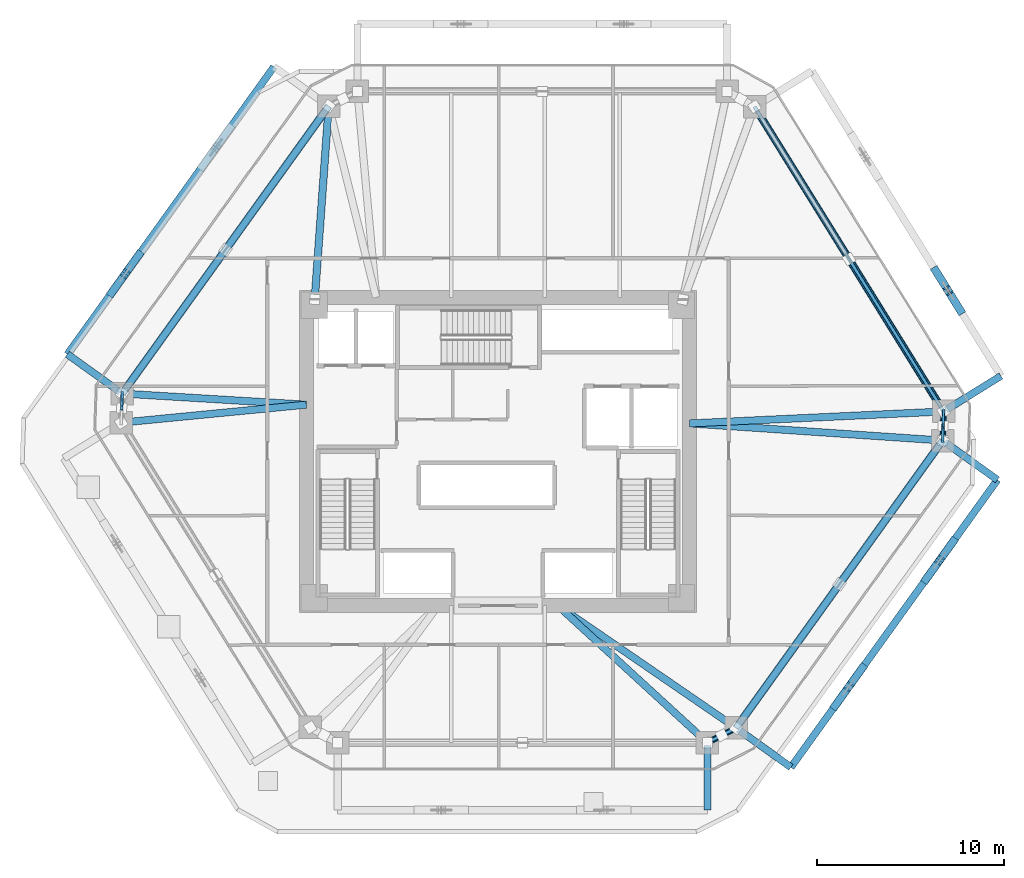
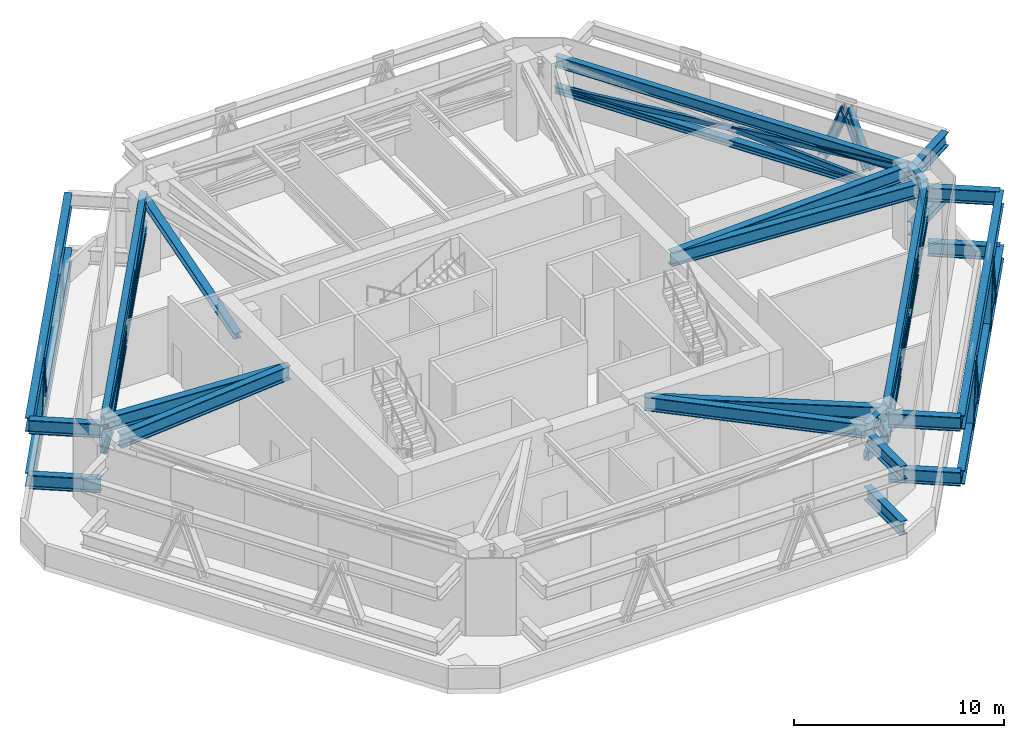
# One storey, part 2 of 10: 27 members, 25 beams.
"""IFC4 building model written with IfcOpenShell, lengths in metres."""

from ifc_helpers import new_model, si_unit, direction, frame, origin, origin_2d, place, context, subcontext, project, spatial, hollow_rectangle, i_section, extrude, source, transform, mapped, material, material_profile, profile_set, type_object, type_shapes, element, save


model = new_model("IFC4")

# Units and contexts
model_context = context("Model", 3, precision=1e-05, world=origin(), true_north=direction((0.0, 1.0)))
body_context = subcontext(model_context, "Body", "Model", "MODEL_VIEW")
ifc_project = project(units=[si_unit("LENGTHUNIT", "METRE"), si_unit("AREAUNIT", "SQUARE_METRE"), si_unit("VOLUMEUNIT", "CUBIC_METRE"), si_unit("PLANEANGLEUNIT", "RADIAN"), si_unit("MASSUNIT", "GRAM", prefix="KILO")], contexts=[model_context])

# Site, building, storey
site_placement = place(None, origin())
site = spatial("IfcSite", under=ifc_project, at=site_placement, CompositionType="ELEMENT")
building_placement = place(site_placement, origin())
building = spatial("IfcBuilding", under=site, at=building_placement, Name="Durnholm Broadcast Tower", CompositionType="ELEMENT")
storey_placement = place(building_placement, frame((0.0, 0.0, 88.5)))
storey = spatial("IfcBuildingStorey", under=building, at=storey_placement, Name="L23", CompositionType="ELEMENT", Elevation=88.5)

# Beams
ifc_material_1 = material(Name="Steel ASTM A992 Grade 50", Category="steel")
ifc_material_profile_1 = material_profile(ifc_material_1, i_section(OverallWidth=0.385009765625, OverallDepth=0.802978515625, WebThickness=0.023681640625, FlangeThickness=0.0419921875, FilletRadius=0.032958984375, at=origin_2d()), Name="W30X261")
ifc_profile_set_1 = profile_set([ifc_material_profile_1], Name="Steel ASTM A992 Grade 50")
beam_type_1 = type_object("IfcBeamType", Name="BM-EXO-TIE", PredefinedType="USERDEFINED", material=ifc_profile_set_1)
shared_shape_1 = source(origin(), body_context, "Body", "SweptSolid", [
    extrude(i_section(OverallWidth=0.385009765625, OverallDepth=0.802978515625, WebThickness=0.023681640625, FlangeThickness=0.0419921875, FilletRadius=0.032958984375, at=origin_2d()), origin(), (0.0, 0.0, 1.0), 3.4560546875),
])
for number, where, z_axis, x_axis, name in (
    (1, (11.176025390625, -15.680908203125, 0.550048828125), (0.0, -1.0, 0.0), (1.0, 0.0, 0.0), "L23 zone-base exoskeleton stand-off tie bracket F1.2"),
    (2, (11.176025390625, -15.680908203125, 3.74853515625), (0.0, -1.0, 0.0), (1.0, 0.0, 0.0), "L23 exoskeleton stand-off tie bracket F1.2"),
    (3, (12.826904296875, -14.834228515625, 0.550048828125), (0.812164951739, -0.583427880005, 0.0), (0.583427880005, 0.812164951739, 0.0), "L23 zone-base exoskeleton stand-off tie bracket F2.1"),
    (4, (23.844970703125, 0.5029296875, 0.550048828125), (0.812164951739, -0.583427880005, 0.0), (0.583427880005, 0.812164951739, 0.0), "L23 zone-base exoskeleton stand-off tie bracket F2.2"),
    (5, (12.826904296875, -14.834228515625, 3.74853515625), (0.812164951739, -0.583427880005, 0.0), (0.583427880005, 0.812164951739, 0.0), "L23 exoskeleton stand-off tie bracket F2.1"),
    (6, (23.844970703125, 0.5029296875, 3.74853515625), (0.812164951739, -0.583427880005, 0.0), (0.583427880005, 0.812164951739, 0.0), "L23 exoskeleton stand-off tie bracket F2.2"),
    (7, (23.903076171875, 2.21240234375, 0.550048828125), (0.849795112316, 0.527113144481, 0.0), (-0.527113144481, 0.849795112316, 0.0), "L23 zone-base exoskeleton stand-off tie bracket F3.1"),
    (8, (23.903076171875, 2.21240234375, 3.74853515625), (0.849795112316, 0.527113144481, 0.0), (-0.527113144481, 0.849795112316, 0.0), "L23 exoskeleton stand-off tie bracket F3.1"),
    (9, (-20.1669921875, 3.175048828125, 0.550048828125), (-0.812164951739, 0.583427880005, 0.0), (-0.583427880005, -0.812164951739, 0.0), "L23 zone-base exoskeleton stand-off tie bracket F5.2"),
    (10, (-20.1669921875, 3.175048828125, 3.74853515625), (-0.812164951739, 0.583427880005, 0.0), (-0.583427880005, -0.812164951739, 0.0), "L23 exoskeleton stand-off tie bracket F5.2"),
):
    element("IfcBeam", number, at=place(storey_placement, frame(where, z_axis=z_axis, x_axis=x_axis)), inside=storey, type_object=beam_type_1, Name=name, ObjectType="GIRDER", PredefinedType="USERDEFINED", context=body_context, shape_type="MappedRepresentation", body=[
        mapped(shared_shape_1, transform((0.0, 0.0, 0.0), x_axis=(1.0, 0.0, 0.0), y_axis=(0.0, 1.0, 0.0), z_axis=(0.0, 0.0, 1.0), scale=1.0)),
    ])
ifc_material_profile_2 = material_profile(ifc_material_1, i_section(OverallWidth=0.3291015625, OverallDepth=0.635009765625, WebThickness=0.017822265625, FlangeThickness=0.031005859375, FilletRadius=0.02783203125, at=origin_2d()), Name="W24X162")
ifc_profile_set_2 = profile_set([ifc_material_profile_2], Name="Steel ASTM A992 Grade 50")
beam_type_2 = type_object("IfcBeamType", Name="STL-SP-W24X162", PredefinedType="SPANDREL", material=ifc_profile_set_2)
shared_shape_2 = source(origin(), body_context, "Body", "SweptSolid", [
    extrude(i_section(OverallWidth=0.3291015625, OverallDepth=0.635009765625, WebThickness=0.017822265625, FlangeThickness=0.031005859375, FilletRadius=0.02783203125, at=origin_2d()), origin(), (0.0, 0.0, 1.0), 18.884521484375),
])
for number, where, z_axis, x_axis, name in (
    (11, (-20.050048828125, 3.091064453125, 4.16748046875), (0.583443434414, 0.812153777827, 0.0), (-0.812153777827, 0.583443434414, 0.0), "L23 perimeter spandrel girder 03"),
    (12, (23.72802734375, 0.5869140625, 4.16748046875), (-0.583443434414, -0.812153777827, 0.0), (0.812153777827, -0.583443434414, 0.0), "L23 perimeter spandrel girder 09"),
):
    element("IfcBeam", number, at=place(storey_placement, frame(where, z_axis=z_axis, x_axis=x_axis)), inside=storey, type_object=beam_type_2, Name=name, PredefinedType="SPANDREL", context=body_context, shape_type="MappedRepresentation", body=[
        mapped(shared_shape_2, transform((0.0, 0.0, 0.0), x_axis=(1.0, 0.0, 0.0), y_axis=(0.0, 1.0, 0.0), z_axis=(0.0, 0.0, 1.0), scale=1.0)),
    ])
shared_shape_3 = source(origin(), body_context, "Body", "SweptSolid", [
    extrude(i_section(OverallWidth=0.3291015625, OverallDepth=0.635009765625, WebThickness=0.017822265625, FlangeThickness=0.031005859375, FilletRadius=0.02783203125, at=origin_2d()), origin(), (0.0, 0.0, 1.0), 1.723876953125),
])
beam_1_placement = place(storey_placement, frame((12.7099609375, -14.750244140625, 4.16748046875), z_axis=(-0.889762904339, -0.456423020959, 0.0), x_axis=(0.456423020959, -0.889762904339, 0.0)))
element("IfcBeam", 13, at=beam_1_placement, inside=storey, type_object=beam_type_2, Name="L23 perimeter spandrel girder 10", PredefinedType="SPANDREL", context=body_context, shape_type="MappedRepresentation", body=[
    mapped(shared_shape_3, transform((0.0, 0.0, 0.0), x_axis=(1.0, 0.0, 0.0), y_axis=(0.0, 1.0, 0.0), z_axis=(0.0, 0.0, 1.0), scale=1.0)),
])
shared_shape_4 = source(origin(), body_context, "Body", "SweptSolid", [
    extrude(i_section(OverallWidth=0.3291015625, OverallDepth=0.635009765625, WebThickness=0.017822265625, FlangeThickness=0.031005859375, FilletRadius=0.02783203125, at=origin_2d()), origin(), (0.0, 0.0, 1.0), 19.139404296875),
])
beam_2_placement = place(storey_placement, frame((13.692138671875, 18.4013671875, 4.16748046875), z_axis=(0.527111038734, -0.84979641847, 0.0), x_axis=(0.84979641847, 0.527111038734, 0.0)))
element("IfcBeam", 14, at=beam_2_placement, inside=storey, type_object=beam_type_2, Name="L23 perimeter spandrel girder 07", PredefinedType="SPANDREL", context=body_context, shape_type="MappedRepresentation", body=[
    mapped(shared_shape_4, transform((0.0, 0.0, 0.0), x_axis=(1.0, 0.0, 0.0), y_axis=(0.0, 1.0, 0.0), z_axis=(0.0, 0.0, 1.0), scale=1.0)),
])
shared_shape_5 = source(origin(), body_context, "Body", "SweptSolid", [
    extrude(i_section(OverallWidth=0.3291015625, OverallDepth=0.635009765625, WebThickness=0.017822265625, FlangeThickness=0.031005859375, FilletRadius=0.02783203125, at=origin_2d()), origin(), (0.0, 0.0, 1.0), 1.55078125),
])
type_shapes(beam_type_2, [shared_shape_2, shared_shape_3, shared_shape_4, shared_shape_5])
beam_3_placement = place(storey_placement, frame((23.78076171875, 2.13671875, 4.16748046875), z_axis=(-0.03400678419, -0.999421602042, 0.0), x_axis=(0.999421602042, -0.03400678419, 0.0)))
element("IfcBeam", 15, at=beam_3_placement, inside=storey, type_object=beam_type_2, Name="L23 perimeter spandrel girder 08", PredefinedType="SPANDREL", context=body_context, shape_type="MappedRepresentation", body=[
    mapped(shared_shape_5, transform((0.0, 0.0, 0.0), x_axis=(1.0, 0.0, 0.0), y_axis=(0.0, 1.0, 0.0), z_axis=(0.0, 0.0, 1.0), scale=1.0)),
])
ifc_material_profile_3 = material_profile(ifc_material_1, i_section(OverallWidth=0.385009765625, OverallDepth=0.802978515625, WebThickness=0.023681640625, FlangeThickness=0.0419921875, FilletRadius=0.032958984375, at=origin_2d()), Name="W30X261")
ifc_profile_set_3 = profile_set([ifc_material_profile_3], Name="Steel ASTM A992 Grade 50")
beam_type_3 = type_object("IfcBeamType", Name="STL-GR-W30X261", PredefinedType="USERDEFINED", material=ifc_profile_set_3)
shared_shape_6 = source(origin(), body_context, "Body", "SweptSolid", [
    extrude(i_section(OverallWidth=0.385009765625, OverallDepth=0.802978515625, WebThickness=0.023681640625, FlangeThickness=0.0419921875, FilletRadius=0.032958984375, at=origin_2d()), origin(), (0.0, 0.0, 1.0), 9.924072265625),
])
beam_4_placement = place(storey_placement, frame((-10.22509765625, 2.5, 4.08349609375), z_axis=(-0.995324947968, -0.096582855378, 0.0), x_axis=(0.096582855378, -0.995324947968, 0.0)))
element("IfcBeam", 16, at=beam_4_placement, inside=storey, type_object=beam_type_3, Name="L23 radial primary floor girder 02", ObjectType="GIRDER", PredefinedType="USERDEFINED", context=body_context, shape_type="MappedRepresentation", body=[
    mapped(shared_shape_6, transform((0.0, 0.0, 0.0), x_axis=(1.0, 0.0, 0.0), y_axis=(0.0, 1.0, 0.0), z_axis=(0.0, 0.0, 1.0), scale=1.0)),
])
shared_shape_7 = source(origin(), body_context, "Body", "SweptSolid", [
    extrude(i_section(OverallWidth=0.385009765625, OverallDepth=0.802978515625, WebThickness=0.023681640625, FlangeThickness=0.0419921875, FilletRadius=0.032958984375, at=origin_2d()), origin(), (0.0, 0.0, 1.0), 9.8427734375),
])
beam_5_placement = place(storey_placement, frame((-10.22509765625, 2.5, 4.08349609375), z_axis=(-0.998195312551, 0.0600509617, 0.0), x_axis=(-0.0600509617, -0.998195312551, 0.0)))
element("IfcBeam", 17, at=beam_5_placement, inside=storey, type_object=beam_type_3, Name="L23 radial primary floor girder 03", ObjectType="GIRDER", PredefinedType="USERDEFINED", context=body_context, shape_type="MappedRepresentation", body=[
    mapped(shared_shape_7, transform((0.0, 0.0, 0.0), x_axis=(1.0, 0.0, 0.0), y_axis=(0.0, 1.0, 0.0), z_axis=(0.0, 0.0, 1.0), scale=1.0)),
])
shared_shape_8 = source(origin(), body_context, "Body", "SweptSolid", [
    extrude(i_section(OverallWidth=0.385009765625, OverallDepth=0.802978515625, WebThickness=0.023681640625, FlangeThickness=0.0419921875, FilletRadius=0.032958984375, at=origin_2d()), origin(), (0.0, 0.0, 1.0), 13.570556640625),
])
beam_6_placement = place(storey_placement, frame((10.22509765625, 1.5, 4.08349609375), z_axis=(0.99889869961, 0.046918950518, 0.0), x_axis=(-0.046918950518, 0.99889869961, 0.0)))
element("IfcBeam", 18, at=beam_6_placement, inside=storey, type_object=beam_type_3, Name="L23 radial primary floor girder 08", ObjectType="GIRDER", PredefinedType="USERDEFINED", context=body_context, shape_type="MappedRepresentation", body=[
    mapped(shared_shape_8, transform((0.0, 0.0, 0.0), x_axis=(1.0, 0.0, 0.0), y_axis=(0.0, 1.0, 0.0), z_axis=(0.0, 0.0, 1.0), scale=1.0)),
])
shared_shape_9 = source(origin(), body_context, "Body", "SweptSolid", [
    extrude(i_section(OverallWidth=0.385009765625, OverallDepth=0.802978515625, WebThickness=0.023681640625, FlangeThickness=0.0419921875, FilletRadius=0.032958984375, at=origin_2d()), origin(), (0.0, 0.0, 1.0), 13.53369140625),
])
beam_7_placement = place(storey_placement, frame((10.22509765625, 1.5, 4.08349609375), z_axis=(0.99772148964, -0.067467244725, 0.0), x_axis=(0.067467244725, 0.99772148964, 0.0)))
element("IfcBeam", 19, at=beam_7_placement, inside=storey, type_object=beam_type_3, Name="L23 radial primary floor girder 09", ObjectType="GIRDER", PredefinedType="USERDEFINED", context=body_context, shape_type="MappedRepresentation", body=[
    mapped(shared_shape_9, transform((0.0, 0.0, 0.0), x_axis=(1.0, 0.0, 0.0), y_axis=(0.0, 1.0, 0.0), z_axis=(0.0, 0.0, 1.0), scale=1.0)),
])
shared_shape_10 = source(origin(), body_context, "Body", "SweptSolid", [
    extrude(i_section(OverallWidth=0.385009765625, OverallDepth=0.802978515625, WebThickness=0.023681640625, FlangeThickness=0.0419921875, FilletRadius=0.032958984375, at=origin_2d()), origin(), (0.0, 0.0, 1.0), 11.533447265625),
])
beam_8_placement = place(storey_placement, frame((3.199951171875, -8.22509765625, 4.08349609375), z_axis=(0.824567182461, -0.565764051181, 0.0), x_axis=(0.565764051181, 0.824567182461, 0.0)))
element("IfcBeam", 20, at=beam_8_placement, inside=storey, type_object=beam_type_3, Name="L23 radial primary floor girder 10", ObjectType="GIRDER", PredefinedType="USERDEFINED", context=body_context, shape_type="MappedRepresentation", body=[
    mapped(shared_shape_10, transform((0.0, 0.0, 0.0), x_axis=(1.0, 0.0, 0.0), y_axis=(0.0, 1.0, 0.0), z_axis=(0.0, 0.0, 1.0), scale=1.0)),
])
shared_shape_11 = source(origin(), body_context, "Body", "SweptSolid", [
    extrude(i_section(OverallWidth=0.385009765625, OverallDepth=0.802978515625, WebThickness=0.023681640625, FlangeThickness=0.0419921875, FilletRadius=0.032958984375, at=origin_2d()), origin(), (0.0, 0.0, 1.0), 10.820556640625),
])
type_shapes(beam_type_3, [shared_shape_6, shared_shape_7, shared_shape_8, shared_shape_9, shared_shape_10, shared_shape_11])
beam_9_placement = place(storey_placement, frame((3.199951171875, -8.22509765625, 4.08349609375), z_axis=(0.737126042516, -0.675755279258, 0.0), x_axis=(0.675755279258, 0.737126042516, 0.0)))
element("IfcBeam", 21, at=beam_9_placement, inside=storey, type_object=beam_type_3, Name="L23 radial primary floor girder 11", ObjectType="GIRDER", PredefinedType="USERDEFINED", context=body_context, shape_type="MappedRepresentation", body=[
    mapped(shared_shape_11, transform((0.0, 0.0, 0.0), x_axis=(1.0, 0.0, 0.0), y_axis=(0.0, 1.0, 0.0), z_axis=(0.0, 0.0, 1.0), scale=1.0)),
])

# Members
ifc_material_2 = material(Name="Steel ASTM A500 Grade C", Category="steel")
ifc_material_profile_4 = material_profile(ifc_material_2, hollow_rectangle(XDim=0.203125, YDim=0.3046875, WallThickness=0.01171875, InnerFilletRadius=0.017578125, OuterFilletRadius=0.029541015625, at=origin_2d()), Name="HSS12X8X1/2")
ifc_profile_set_4 = profile_set([ifc_material_profile_4], Name="Steel ASTM A500 Grade C")
member_type_1 = type_object("IfcMemberType", Name="STL-TB-HSS12X8", PredefinedType="BRACE", material=ifc_profile_set_4)
shared_shape_12 = source(origin(), body_context, "Body", "SweptSolid", [
    extrude(hollow_rectangle(XDim=0.203125, YDim=0.3046875, WallThickness=0.01171875, InnerFilletRadius=0.017578125, OuterFilletRadius=0.029541015625, at=origin_2d()), origin(), (0.0, 0.0, 1.0), 19.206298828125),
])
member_1_placement = place(storey_placement, frame((13.692138671875, 18.4013671875, 2.550048828125), z_axis=(0.525279127698, -0.846843053196, 0.083298747037), x_axis=(0.84979641847, 0.527111038734, 0.0)))
element("IfcMember", 22, at=member_1_placement, inside=storey, type_object=member_type_1, Name="L23 belt-truss continuous X-diagonal brace 07", PredefinedType="BRACE", context=body_context, shape_type="MappedRepresentation", body=[
    mapped(shared_shape_12, transform((0.0, 0.0, 0.0), x_axis=(1.0, 0.0, 0.0), y_axis=(0.0, 1.0, 0.0), z_axis=(0.0, 0.0, 1.0), scale=1.0)),
])
shared_shape_13 = source(origin(), body_context, "Body", "SweptSolid", [
    extrude(hollow_rectangle(XDim=0.203125, YDim=0.3046875, WallThickness=0.01171875, InnerFilletRadius=0.017578125, OuterFilletRadius=0.029541015625, at=origin_2d()), origin(), (0.0, 0.0, 1.0), 9.603271484375),
])
member_2_placement = place(storey_placement, frame((23.78076171875, 2.13671875, 2.550048828125), z_axis=(-0.525287775565, 0.846836501988, 0.08331081408), x_axis=(-0.849790704629, -0.527120250347, 0.0)))
element("IfcMember", 23, at=member_2_placement, inside=storey, type_object=member_type_1, Name="L23 belt-truss split X-diagonal segment 07.1", PredefinedType="BRACE", context=body_context, shape_type="MappedRepresentation", body=[
    mapped(shared_shape_13, transform((0.0, 0.0, 0.0), x_axis=(1.0, 0.0, 0.0), y_axis=(0.0, 1.0, 0.0), z_axis=(0.0, 0.0, 1.0), scale=1.0)),
])
ifc_material_profile_5 = material_profile(ifc_material_2, hollow_rectangle(XDim=0.15234375, YDim=0.25390625, WallThickness=0.0087890625, InnerFilletRadius=0.013427734375, OuterFilletRadius=0.022216796875, at=origin_2d()), Name="HSS10X6X3/8")
ifc_profile_set_5 = profile_set([ifc_material_profile_5], Name="Steel ASTM A500 Grade C")
member_type_2 = type_object("IfcMemberType", Name="STL-TB-HSS10X6", PredefinedType="BRACE", material=ifc_profile_set_5)
shared_shape_14 = source(origin(), body_context, "Body", "SweptSolid", [
    extrude(hollow_rectangle(XDim=0.15234375, YDim=0.25390625, WallThickness=0.0087890625, InnerFilletRadius=0.013427734375, OuterFilletRadius=0.022216796875, at=origin_2d()), origin(), (0.0, 0.0, 1.0), 1.77783203125),
])
type_shapes(member_type_2, [shared_shape_14])
for number, where, z_axis, x_axis, name in (
    (24, (-20.050048828125, 3.091064453125, 2.550048828125), (-0.014831946555, -0.435757096465, 0.899942090493), (0.999421237727, -0.03401748934, 0.0), "L23 belt-truss chevron brace 02.2"),
    (25, (23.78076171875, 2.13671875, 2.550048828125), (-0.014831058895, -0.435868341974, 0.899888230925), (0.999421602042, -0.03400678419, 0.0), "L23 belt-truss chevron brace 08.1"),
    (26, (23.72802734375, 0.5869140625, 2.550048828125), (0.014831058895, 0.435868341974, 0.899888230925), (-0.999421602042, 0.03400678419, 0.0), "L23 belt-truss chevron brace 08.2"),
):
    element("IfcMember", number, at=place(storey_placement, frame(where, z_axis=z_axis, x_axis=x_axis)), inside=storey, type_object=member_type_2, Name=name, PredefinedType="BRACE", context=body_context, shape_type="MappedRepresentation", body=[
        mapped(shared_shape_14, transform((0.0, 0.0, 0.0), x_axis=(1.0, 0.0, 0.0), y_axis=(0.0, 1.0, 0.0), z_axis=(0.0, 0.0, 1.0), scale=1.0)),
    ])
ifc_material_profile_6 = material_profile(ifc_material_1, i_section(OverallWidth=0.4013671875, OverallDepth=0.3994140625, WebThickness=0.02490234375, FlangeThickness=0.03955078125, FilletRadius=0.030517578125, at=origin_2d()), Name="W14X211")
ifc_profile_set_6 = profile_set([ifc_material_profile_6], Name="Steel ASTM A992 Grade 50")
member_type_3 = type_object("IfcMemberType", Name="STL-TC-W14X211", PredefinedType="CHORD", material=ifc_profile_set_6)
shared_shape_15 = source(origin(), body_context, "Body", "SweptSolid", [
    extrude(i_section(OverallWidth=0.4013671875, OverallDepth=0.3994140625, WebThickness=0.02490234375, FlangeThickness=0.03955078125, FilletRadius=0.030517578125, at=origin_2d()), origin(), (0.0, 0.0, 1.0), 18.884521484375),
])
for number, where, z_axis, x_axis, name in (
    (27, (-20.050048828125, 3.091064453125, 2.550048828125), (0.583443434414, 0.812153777827, 0.0), (-0.812153777827, 0.583443434414, 0.0), "L23 perimeter belt-truss bottom chord 03"),
    (28, (23.72802734375, 0.5869140625, 2.550048828125), (-0.583443434414, -0.812153777827, 0.0), (0.812153777827, -0.583443434414, 0.0), "L23 perimeter belt-truss bottom chord 09"),
):
    element("IfcMember", number, at=place(storey_placement, frame(where, z_axis=z_axis, x_axis=x_axis)), inside=storey, type_object=member_type_3, Name=name, PredefinedType="CHORD", context=body_context, shape_type="MappedRepresentation", body=[
        mapped(shared_shape_15, transform((0.0, 0.0, 0.0), x_axis=(1.0, 0.0, 0.0), y_axis=(0.0, 1.0, 0.0), z_axis=(0.0, 0.0, 1.0), scale=1.0)),
    ])
ifc_material_3 = material(Name="Steel ASTM A913 Grade 65", Category="steel")
ifc_material_profile_7 = material_profile(ifc_material_3, i_section(OverallWidth=0.412109375, OverallDepth=0.434814453125, WebThickness=0.035888671875, FlangeThickness=0.057373046875, FilletRadius=0.030517578125, at=origin_2d()), Name="W14X311")
ifc_profile_set_7 = profile_set([ifc_material_profile_7], Name="Steel ASTM A913 Grade 65")
member_type_4 = type_object("IfcMemberType", Name="STL-DG-W14X311", PredefinedType="BRACE", material=ifc_profile_set_7)
shared_shape_16 = source(origin(), body_context, "Body", "SweptSolid", [
    extrude(i_section(OverallWidth=0.412109375, OverallDepth=0.434814453125, WebThickness=0.035888671875, FlangeThickness=0.057373046875, FilletRadius=0.030517578125, at=origin_2d()), origin(), (0.0, 0.0, 1.0), 18.9521484375),
])
for number, where, z_axis, x_axis, name in (
    (29, (-20.050048828125, 3.091064453125, 2.550048828125), (0.581360930253, 0.809254930189, 0.084415204431), (-0.812153777827, 0.583443434414, 0.0), "L23 belt-truss continuous X-diagonal brace 03"),
    (30, (23.72802734375, 0.5869140625, 2.550048828125), (-0.581360930253, -0.809254930189, 0.084415204431), (0.812153777827, -0.583443434414, 0.0), "L23 belt-truss continuous X-diagonal brace 09"),
):
    element("IfcMember", number, at=place(storey_placement, frame(where, z_axis=z_axis, x_axis=x_axis)), inside=storey, type_object=member_type_4, Name=name, PredefinedType="BRACE", context=body_context, shape_type="MappedRepresentation", body=[
        mapped(shared_shape_16, transform((0.0, 0.0, 0.0), x_axis=(1.0, 0.0, 0.0), y_axis=(0.0, 1.0, 0.0), z_axis=(0.0, 0.0, 1.0), scale=1.0)),
    ])
shared_shape_17 = source(origin(), body_context, "Body", "SweptSolid", [
    extrude(i_section(OverallWidth=0.412109375, OverallDepth=0.434814453125, WebThickness=0.035888671875, FlangeThickness=0.057373046875, FilletRadius=0.030517578125, at=origin_2d()), origin(), (0.0, 0.0, 1.0), 9.47607421875),
])
type_shapes(member_type_4, [shared_shape_16, shared_shape_17])
for number, where, z_axis, x_axis, name in (
    (31, (-9.031982421875, 18.42822265625, 2.550048828125), (-0.581366358589, -0.8092496044, 0.084428874677), (0.812149376965, -0.58344956037, 0.0), "L23 belt-truss split X-diagonal segment 03.1"),
    (32, (-14.541015625, 10.759765625, 3.35009765625), (-0.581355501877, -0.809260255681, 0.084401534418), (0.812158178551, -0.583437308554, 0.0), "L23 belt-truss split X-diagonal segment 03.2"),
    (33, (12.7099609375, -14.750244140625, 2.550048828125), (0.581366358589, 0.8092496044, 0.084428874677), (-0.812149376965, 0.58344956037, 0.0), "L23 belt-truss split X-diagonal segment 09.1"),
    (34, (18.218994140625, -7.081787109375, 3.35009765625), (0.581355501877, 0.809260255681, 0.084401534418), (-0.812158178551, 0.583437308554, 0.0), "L23 belt-truss split X-diagonal segment 09.2"),
):
    element("IfcMember", number, at=place(storey_placement, frame(where, z_axis=z_axis, x_axis=x_axis)), inside=storey, type_object=member_type_4, Name=name, PredefinedType="BRACE", context=body_context, shape_type="MappedRepresentation", body=[
        mapped(shared_shape_17, transform((0.0, 0.0, 0.0), x_axis=(1.0, 0.0, 0.0), y_axis=(0.0, 1.0, 0.0), z_axis=(0.0, 0.0, 1.0), scale=1.0)),
    ])
ifc_material_profile_8 = material_profile(ifc_material_2, hollow_rectangle(XDim=0.3046875, YDim=0.508056640625, WallThickness=0.014892578125, InnerFilletRadius=0.022216796875, OuterFilletRadius=0.037109375, at=origin_2d()), Name="HSS20X12X5/8")
ifc_profile_set_8 = profile_set([ifc_material_profile_8], Name="Steel ASTM A500 Grade C")
member_type_5 = type_object("IfcMemberType", Name="STL-TC-HSS20X12", PredefinedType="CHORD", material=ifc_profile_set_8)
shared_shape_18 = source(origin(), body_context, "Body", "SweptSolid", [
    extrude(hollow_rectangle(XDim=0.3046875, YDim=0.508056640625, WallThickness=0.014892578125, InnerFilletRadius=0.022216796875, OuterFilletRadius=0.037109375, at=origin_2d()), origin(), (0.0, 0.0, 1.0), 1.723876953125),
])
member_3_placement = place(storey_placement, frame((12.7099609375, -14.750244140625, 2.550048828125), z_axis=(-0.889762904339, -0.456423020959, 0.0), x_axis=(0.456423020959, -0.889762904339, 0.0)))
element("IfcMember", 35, at=member_3_placement, inside=storey, type_object=member_type_5, Name="L23 perimeter belt-truss bottom chord 10", PredefinedType="CHORD", context=body_context, shape_type="MappedRepresentation", body=[
    mapped(shared_shape_18, transform((0.0, 0.0, 0.0), x_axis=(1.0, 0.0, 0.0), y_axis=(0.0, 1.0, 0.0), z_axis=(0.0, 0.0, 1.0), scale=1.0)),
])
shared_shape_19 = source(origin(), body_context, "Body", "SweptSolid", [
    extrude(hollow_rectangle(XDim=0.203125, YDim=0.3046875, WallThickness=0.01171875, InnerFilletRadius=0.017578125, OuterFilletRadius=0.029541015625, at=origin_2d()), origin(), (0.0, 0.0, 1.0), 1.8173828125),
])
type_shapes(member_type_1, [shared_shape_12, shared_shape_13, shared_shape_19])
for number, where, z_axis, x_axis, name in (
    (36, (12.7099609375, -14.750244140625, 2.550048828125), (-0.421976844758, -0.216563729306, 0.880361115473), (0.456592646788, -0.889675870696, 0.0), "L23 belt-truss chevron brace 10.1"),
    (37, (11.176025390625, -15.537109375, 2.550048828125), (0.422099533715, 0.216423408279, 0.880336805993), (-0.456253399361, 0.889849894966, 0.0), "L23 belt-truss chevron brace 10.2"),
):
    element("IfcMember", number, at=place(storey_placement, frame(where, z_axis=z_axis, x_axis=x_axis)), inside=storey, type_object=member_type_1, Name=name, PredefinedType="BRACE", context=body_context, shape_type="MappedRepresentation", body=[
        mapped(shared_shape_19, transform((0.0, 0.0, 0.0), x_axis=(1.0, 0.0, 0.0), y_axis=(0.0, 1.0, 0.0), z_axis=(0.0, 0.0, 1.0), scale=1.0)),
    ])
shared_shape_20 = source(origin(), body_context, "Body", "SweptSolid", [
    extrude(i_section(OverallWidth=0.4013671875, OverallDepth=0.3994140625, WebThickness=0.02490234375, FlangeThickness=0.03955078125, FilletRadius=0.030517578125, at=origin_2d()), origin(), (0.0, 0.0, 1.0), 19.139404296875),
])
type_shapes(member_type_3, [shared_shape_15, shared_shape_20])
member_4_placement = place(storey_placement, frame((13.692138671875, 18.4013671875, 2.550048828125), z_axis=(0.527111038734, -0.84979641847, 0.0), x_axis=(0.84979641847, 0.527111038734, 0.0)))
element("IfcMember", 38, at=member_4_placement, inside=storey, type_object=member_type_3, Name="L23 perimeter belt-truss bottom chord 07", PredefinedType="CHORD", context=body_context, shape_type="MappedRepresentation", body=[
    mapped(shared_shape_20, transform((0.0, 0.0, 0.0), x_axis=(1.0, 0.0, 0.0), y_axis=(0.0, 1.0, 0.0), z_axis=(0.0, 0.0, 1.0), scale=1.0)),
])
shared_shape_21 = source(origin(), body_context, "Body", "SweptSolid", [
    extrude(hollow_rectangle(XDim=0.3046875, YDim=0.508056640625, WallThickness=0.014892578125, InnerFilletRadius=0.022216796875, OuterFilletRadius=0.037109375, at=origin_2d()), origin(), (0.0, 0.0, 1.0), 1.55078125),
])
type_shapes(member_type_5, [shared_shape_18, shared_shape_21])
member_5_placement = place(storey_placement, frame((23.78076171875, 2.13671875, 2.550048828125), z_axis=(-0.03400678419, -0.999421602042, 0.0), x_axis=(0.999421602042, -0.03400678419, 0.0)))
element("IfcMember", 39, at=member_5_placement, inside=storey, type_object=member_type_5, Name="L23 perimeter belt-truss bottom chord 08", PredefinedType="CHORD", context=body_context, shape_type="MappedRepresentation", body=[
    mapped(shared_shape_21, transform((0.0, 0.0, 0.0), x_axis=(1.0, 0.0, 0.0), y_axis=(0.0, 1.0, 0.0), z_axis=(0.0, 0.0, 1.0), scale=1.0)),
])
ifc_material_profile_9 = material_profile(ifc_material_1, i_section(OverallWidth=0.3974609375, OverallDepth=0.38671875, WebThickness=0.02099609375, FlangeThickness=0.033203125, FilletRadius=0.030517578125, at=origin_2d()), Name="W14X176")
ifc_profile_set_9 = profile_set([ifc_material_profile_9], Name="Steel ASTM A992 Grade 50")
member_type_6 = type_object("IfcMemberType", Name="STL-OS-W14X176", PredefinedType="STRUT", material=ifc_profile_set_9)
shared_shape_22 = source(origin(), body_context, "Body", "SweptSolid", [
    extrude(i_section(OverallWidth=0.3974609375, OverallDepth=0.38671875, WebThickness=0.02099609375, FlangeThickness=0.033203125, FilletRadius=0.030517578125, at=origin_2d()), origin(), (0.0, 0.0, 1.0), 10.458984375),
])
type_shapes(member_type_6, [shared_shape_22])
member_6_placement = place(storey_placement, frame((-9.77685546875, 8.119140625, 2.550048828125), z_axis=(0.071218101555, 0.985662260322, 0.152963690425), x_axis=(-0.997399851729, 0.072066190206, 0.0)))
element("IfcMember", 40, at=member_6_placement, inside=storey, type_object=member_type_6, Name="L23 radial core-to-perimeter outrigger strut 04", PredefinedType="STRUT", context=body_context, shape_type="MappedRepresentation", body=[
    mapped(shared_shape_22, transform((0.0, 0.0, 0.0), x_axis=(1.0, 0.0, 0.0), y_axis=(0.0, 1.0, 0.0), z_axis=(0.0, 0.0, 1.0), scale=1.0)),
])
ifc_material_profile_10 = material_profile(ifc_material_3, i_section(OverallWidth=0.424072265625, OverallDepth=0.47412109375, WebThickness=0.047607421875, FlangeThickness=0.0771484375, FilletRadius=0.030517578125, at=origin_2d()), Name="W14X426")
ifc_profile_set_10 = profile_set([ifc_material_profile_10], Name="Steel ASTM A913 Grade 65")
member_type_7 = type_object("IfcMemberType", Name="STL-DG-W14X426", PredefinedType="BRACE", material=ifc_profile_set_10)
shared_shape_23 = source(origin(), body_context, "Body", "SweptSolid", [
    extrude(i_section(OverallWidth=0.424072265625, OverallDepth=0.47412109375, WebThickness=0.047607421875, FlangeThickness=0.0771484375, FilletRadius=0.030517578125, at=origin_2d()), origin(), (0.0, 0.0, 1.0), 3.42822265625),
])
type_shapes(member_type_7, [shared_shape_23])
for number, where, z_axis, x_axis, name in (
    (41, (17.9990234375, -13.558349609375, 0.550048828125), (0.209945885714, 0.292272020003, 0.933005783152), (-0.812179469647, 0.583407669717, 0.0), "L23 stand-off diagrid brace F2.D1.1"),
    (42, (19.438720703125, -11.55419921875, 0.550048828125), (-0.210009589929, -0.292332779471, 0.932972410195), (0.812153063014, -0.583444429434, 0.0), "L23 stand-off diagrid brace F2.D1.2"),
    (43, (22.846923828125, -6.81005859375, 0.550048828125), (0.210009589929, 0.292332779471, 0.932972410195), (-0.812153063014, 0.583444429434, 0.0), "L23 stand-off diagrid brace F2.D2.1"),
    (44, (24.28662109375, -4.805908203125, 0.550048828125), (-0.209945885714, -0.292272020003, 0.933005783152), (0.812179469647, -0.583407669717, 0.0), "L23 stand-off diagrid brace F2.D2.2"),
    (45, (24.66552734375, 7.539794921875, 0.550048828125), (-0.189715430215, 0.305866281072, 0.932981175395), (-0.849805205368, -0.527096872433, 0.0), "L23 stand-off diagrid brace F3.D1.1"),
    (46, (23.36474609375, 9.63671875, 0.550048828125), (0.189719562273, -0.305801726876, 0.933001495996), (0.849750220063, 0.527185511469, 0.0), "L23 stand-off diagrid brace F3.D1.2"),
    (47, (-19.1689453125, 10.488037109375, 0.550048828125), (-0.210009589929, -0.292332779471, 0.932972410195), (0.812153063014, -0.583444429434, 0.0), "L23 stand-off diagrid brace F5.D2.1"),
    (48, (-20.608642578125, 8.48388671875, 0.550048828125), (0.209945885714, 0.292272020003, 0.933005783152), (-0.812179469647, 0.583407669717, 0.0), "L23 stand-off diagrid brace F5.D2.2"),
):
    element("IfcMember", number, at=place(storey_placement, frame(where, z_axis=z_axis, x_axis=x_axis)), inside=storey, type_object=member_type_7, Name=name, PredefinedType="BRACE", context=body_context, shape_type="MappedRepresentation", body=[
        mapped(shared_shape_23, transform((0.0, 0.0, 0.0), x_axis=(1.0, 0.0, 0.0), y_axis=(0.0, 1.0, 0.0), z_axis=(0.0, 0.0, 1.0), scale=1.0)),
    ])

# Beams
shared_shape_24 = source(origin(), body_context, "Body", "SweptSolid", [
    extrude(i_section(OverallWidth=0.385009765625, OverallDepth=0.802978515625, WebThickness=0.023681640625, FlangeThickness=0.0419921875, FilletRadius=0.032958984375, at=origin_2d()), origin(), (0.0, 0.0, 1.0), 18.884521484375),
])
for number, where, z_axis, x_axis, name in (
    (49, (15.6337890625, -16.8505859375, 0.550048828125), (0.583443434414, 0.812153777827, 0.0), (-0.812153777827, 0.583443434414, 0.0), "L23 zone-base exoskeleton collector spandrel F2"),
    (50, (15.6337890625, -16.8505859375, 3.74853515625), (0.583443434414, 0.812153777827, 0.0), (-0.812153777827, 0.583443434414, 0.0), "L23 exoskeleton collector spandrel F2"),
):
    element("IfcBeam", number, at=place(storey_placement, frame(where, z_axis=z_axis, x_axis=x_axis)), inside=storey, type_object=beam_type_1, Name=name, PredefinedType="SPANDREL", context=body_context, shape_type="MappedRepresentation", body=[
        mapped(shared_shape_24, transform((0.0, 0.0, 0.0), x_axis=(1.0, 0.0, 0.0), y_axis=(0.0, 1.0, 0.0), z_axis=(0.0, 0.0, 1.0), scale=1.0)),
    ])
shared_shape_25 = source(origin(), body_context, "Body", "SweptSolid", [
    extrude(i_section(OverallWidth=0.385009765625, OverallDepth=0.802978515625, WebThickness=0.023681640625, FlangeThickness=0.0419921875, FilletRadius=0.032958984375, at=origin_2d()), origin(), (0.0, 0.0, 1.0), 18.884765625),
])
type_shapes(beam_type_1, [shared_shape_1, shared_shape_24, shared_shape_25])
for number, where, z_axis, x_axis, name in (
    (51, (-11.955810546875, 20.52880859375, 0.550048828125), (-0.583437308554, -0.812158178551, 0.0), (0.812158178551, -0.583437308554, 0.0), "L23 zone-base exoskeleton collector spandrel F5"),
    (52, (-11.955810546875, 20.52880859375, 3.74853515625), (-0.583437308554, -0.812158178551, 0.0), (0.812158178551, -0.583437308554, 0.0), "L23 exoskeleton collector spandrel F5"),
):
    element("IfcBeam", number, at=place(storey_placement, frame(where, z_axis=z_axis, x_axis=x_axis)), inside=storey, type_object=beam_type_1, Name=name, PredefinedType="SPANDREL", context=body_context, shape_type="MappedRepresentation", body=[
        mapped(shared_shape_25, transform((0.0, 0.0, 0.0), x_axis=(1.0, 0.0, 0.0), y_axis=(0.0, 1.0, 0.0), z_axis=(0.0, 0.0, 1.0), scale=1.0)),
    ])

save(model, "model.ifc")
